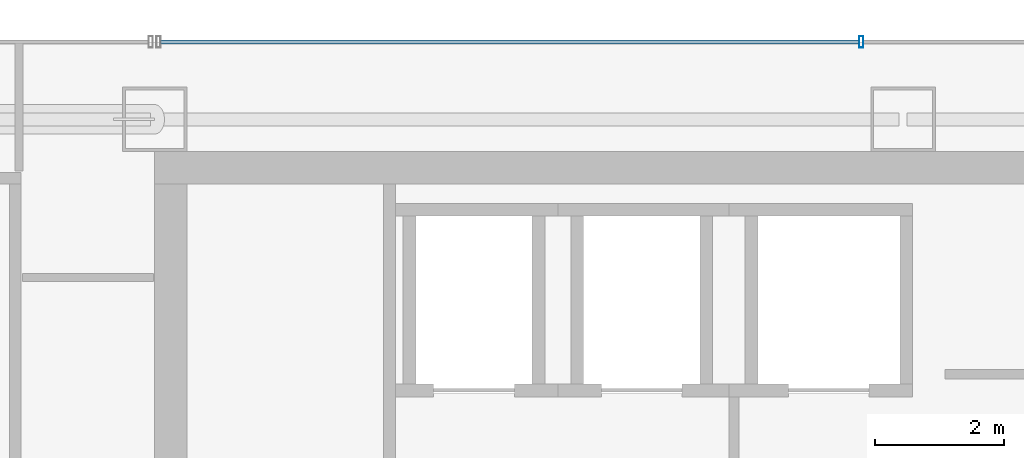
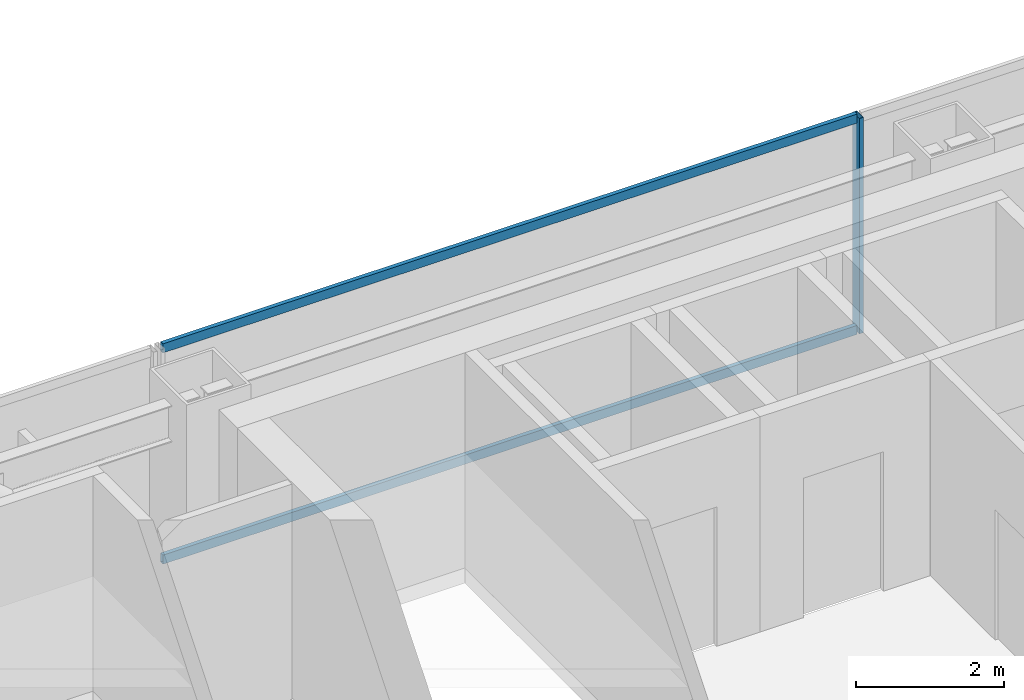
# One storey, part 23 of 36: 3 members, 1 element without a shape of its own.
"""IFC4 building model written with IfcOpenShell, lengths in metres."""

import ifcopenshell
import ifcopenshell.guid

model = None  # the IFC model being written
_history = None  # IfcOwnerHistory: only IFC2X3 demands one
_inside = {}  # id of a spatial element -> (the spatial element, [elements in it])
_under = {}  # id of a project, library or spatial element -> (it, [spatial elements below it])
_declared = {}  # id of a project -> (the project, [libraries it declares])
_typed = {}  # id of a type object -> (the type object, [elements of that type])
_made_of = {}  # id of a material, layer set ... -> (it, [elements and type objects made of it])


def new_model(schema):
    """Start an empty IFC model of exactly this schema.

    Asked for "IFC4X3", IfcOpenShell would pick the latest addendum, in which some entities
    have other attributes; the version numbers below select the first issue.
    IFC2X3 requires an IfcOwnerHistory on every rooted entity: one is made here for all.
    """
    global model, _history
    if schema == "IFC4X3":
        model = ifcopenshell.file(schema_version=(4, 3, 0, 0))
    else:
        model = ifcopenshell.file(schema=schema)
    _inside.clear()
    _under.clear()
    _declared.clear()
    _typed.clear()
    _made_of.clear()
    _history = None
    if model.schema == "IFC2X3":
        org = make("IfcOrganization", Name="unknown")
        user = make(
            "IfcPersonAndOrganization",
            ThePerson=make("IfcPerson", FamilyName="unknown"),
            TheOrganization=org,
        )
        app = make(
            "IfcApplication",
            ApplicationDeveloper=org,
            Version="unknown",
            ApplicationFullName="unknown",
            ApplicationIdentifier="unknown",
        )
        _history = make(
            "IfcOwnerHistory",
            OwningUser=user,
            OwningApplication=app,
            ChangeAction="ADDED",
            CreationDate=0,
        )
    return model


def make(cls, **values):
    """One entity of the class cls with the attributes given. An attribute that is None is left unset."""
    return model.create_entity(
        cls, **{name: value for name, value in values.items() if value is not None}
    )


def rooted(cls, **values):
    """An entity with a GlobalId (a new one), such as an element, a storey or a relation."""
    return make(cls, GlobalId=ifcopenshell.guid.new(), OwnerHistory=_history, **values)


def si_unit(unit_type, name, prefix=None):
    """IfcSIUnit, for example si_unit("LENGTHUNIT", "METRE", prefix="MILLI")."""
    return make("IfcSIUnit", UnitType=unit_type, Prefix=prefix, Name=name)


def assignment(units):
    """IfcUnitAssignment: the units of a project."""
    return None if units is None else make("IfcUnitAssignment", Units=units)


def point(xyz):
    """IfcCartesianPoint."""
    return None if xyz is None else make("IfcCartesianPoint", Coordinates=xyz)


def direction(xyz):
    """IfcDirection."""
    return None if xyz is None else make("IfcDirection", DirectionRatios=xyz)


def frame(location, z_axis=None, x_axis=None):
    """IfcAxis2Placement3D, a coordinate frame: its origin and axes. An axis left out is left unset."""
    return make(
        "IfcAxis2Placement3D",
        Location=point(location),
        Axis=direction(z_axis),
        RefDirection=direction(x_axis),
    )


def frame_2d(location, x_axis=None):
    """IfcAxis2Placement2D, a coordinate frame in the plane: its origin and x axis."""
    return make(
        "IfcAxis2Placement2D", Location=point(location), RefDirection=direction(x_axis)
    )


def origin():
    """The frame at (0, 0, 0) with its axes left unset."""
    return frame((0.0, 0.0, 0.0))


def origin_2d():
    """The frame at (0, 0) in the plane with its x axis left unset."""
    return frame_2d((0.0, 0.0))


def place(relative_to, where):
    """IfcLocalPlacement: puts the frame where relative to a parent placement (None: the world)."""
    return make(
        "IfcLocalPlacement", PlacementRelTo=relative_to, RelativePlacement=where
    )


def context(
    kind, dimensions, precision=None, world=None, true_north=None, identifier=None
):
    """IfcGeometricRepresentationContext, for example the 3D "Model" context."""
    return make(
        "IfcGeometricRepresentationContext",
        ContextIdentifier=identifier,
        ContextType=kind,
        CoordinateSpaceDimension=dimensions,
        Precision=precision,
        WorldCoordinateSystem=world,
        TrueNorth=true_north,
    )


def subcontext(parent, identifier, kind, view, scale=None):
    """IfcGeometricRepresentationSubContext, for example "Body" below "Model"."""
    return make(
        "IfcGeometricRepresentationSubContext",
        ContextIdentifier=identifier,
        ContextType=kind,
        ParentContext=parent,
        TargetScale=scale,
        TargetView=view,
    )


def project(units=None, contexts=None):
    """IfcProject with its units and contexts."""
    return rooted(
        "IfcProject",
        Name="project",
        RepresentationContexts=contexts,
        UnitsInContext=assignment(units),
    )


def spatial(cls, under=None, at=None, **own):
    """A site, building, storey or space (cls), placed at a placement, below another one or the project."""
    s = rooted(cls, ObjectPlacement=at, **own)
    if under is not None:
        _under.setdefault(under.id(), (under, []))[1].append(s)
    return s


def profile(cls, at=None, kind="AREA", **sizes):
    """A parametric profile (cls). Its sizes go by their IFC names, for example OverallWidth=200.0."""
    return make(cls, ProfileType=kind, Position=at, **sizes)


def hollow_rectangle(**sizes):
    """IfcRectangleHollowProfileDef."""
    return profile("IfcRectangleHollowProfileDef", **sizes)


def extrude(swept, where, along, depth):
    """IfcExtrudedAreaSolid: the profile swept, set in the frame where, extruded along a direction by depth."""
    return make(
        "IfcExtrudedAreaSolid",
        SweptArea=swept,
        Position=where,
        ExtrudedDirection=direction(along),
        Depth=depth,
    )


def shape(context_of_items, identifier, shape_type, items):
    """IfcShapeRepresentation: the items that make up one representation, for example the "Body"."""
    return make(
        "IfcShapeRepresentation",
        ContextOfItems=context_of_items,
        RepresentationIdentifier=identifier,
        RepresentationType=shape_type,
        Items=items,
    )


def material(Name=None, Category=None):
    """IfcMaterial."""
    return make("IfcMaterial", Name=Name, Category=Category)


def material_profile(
    of_material, cross_section, Name=None, Category=None, Priority=None
):
    """IfcMaterialProfile: a cross section and its material."""
    return make(
        "IfcMaterialProfile",
        Name=Name,
        Material=of_material,
        Profile=cross_section,
        Priority=Priority,
        Category=Category,
    )


def profile_set(profiles, Name=None, composite=None):
    """IfcMaterialProfileSet."""
    return make(
        "IfcMaterialProfileSet",
        Name=Name,
        MaterialProfiles=profiles,
        CompositeProfile=composite,
    )


def made_of(thing, what):
    """Note that an element or type object is made of a material, layer set ...; save() writes the relation."""
    if what is not None:
        _made_of.setdefault(what.id(), (what, []))[1].append(thing)
    return thing


def type_object(cls, material=None, **own):
    """A type object (cls), such as IfcWallType, which elements share."""
    return made_of(rooted(cls, **own), material)


def element(
    cls,
    number,
    at=None,
    inside=None,
    cuts=None,
    type_object=None,
    material=None,
    context=None,
    identifier="Body",
    shape_type=None,
    held_by="IfcProductDefinitionShape",
    body=None,
    shapes=None,
    **own,
):
    """One element of the class cls, such as IfcWall. Its Tag is "e" and its number.

    at: its placement. inside: the storey or other place that contains it. cuts: it is an
    opening in that element (IfcRelVoidsElement). A single representation is given by context,
    identifier, shape_type and body (its items); several are given by shapes. held_by: the class
    of the entity that holds the representations. save() writes the other relations.
    """
    e = rooted(cls, Tag="e%d" % number, ObjectPlacement=at, **own)
    if body is not None:
        shapes = [shape(context, identifier, shape_type, body)]
    if shapes is not None:
        e.Representation = make(held_by, Representations=shapes)
    if inside is not None:
        _inside.setdefault(inside.id(), (inside, []))[1].append(e)
    if cuts is not None:
        rooted(
            "IfcRelVoidsElement", RelatingBuildingElement=cuts, RelatedOpeningElement=e
        )
    if type_object is not None:
        _typed.setdefault(type_object.id(), (type_object, []))[1].append(e)
    return made_of(e, material)


def aggregate(whole, parts):
    """IfcRelAggregates: a whole, such as a stair, and the parts it consists of."""
    return rooted("IfcRelAggregates", RelatingObject=whole, RelatedObjects=parts)


def save(model, path):
    """Write the relations noted so far, then the file.

    IfcRelAggregates (storeys below a building ...), IfcRelContainedInSpatialStructure (elements
    in a storey), IfcRelDefinesByType, IfcRelAssociatesMaterial and IfcRelDeclares: one each for
    every whole, place, type object, material and project.
    """
    for whole, parts in _under.values():
        aggregate(whole, parts)
    for where, things in _inside.values():
        rooted(
            "IfcRelContainedInSpatialStructure",
            RelatedElements=things,
            RelatingStructure=where,
        )
    for kind, things in _typed.values():
        rooted("IfcRelDefinesByType", RelatedObjects=things, RelatingType=kind)
    for what, things in _made_of.values():
        rooted("IfcRelAssociatesMaterial", RelatedObjects=things, RelatingMaterial=what)
    for by, libraries in _declared.values():
        rooted("IfcRelDeclares", RelatingContext=by, RelatedDefinitions=libraries)
    model.write(path)


model = new_model("IFC4")

# Units and contexts
model_context = context("Model", 3, precision=1e-05, world=origin(), true_north=direction((0.0, 1.0)))
body_context = subcontext(model_context, "Body", "Model", "MODEL_VIEW")
ifc_project = project(units=[si_unit("LENGTHUNIT", "METRE"), si_unit("AREAUNIT", "SQUARE_METRE"), si_unit("VOLUMEUNIT", "CUBIC_METRE"), si_unit("PLANEANGLEUNIT", "RADIAN"), si_unit("MASSUNIT", "GRAM", prefix="KILO")], contexts=[model_context])

# Site, building, storey
site_placement = place(None, origin())
site = spatial("IfcSite", under=ifc_project, at=site_placement, CompositionType="ELEMENT")
building_placement = place(site_placement, origin())
building = spatial("IfcBuilding", under=site, at=building_placement, Name="Saevonmaru Cultural Tower", CompositionType="ELEMENT")
storey_placement = place(building_placement, frame((0.0, 0.0, 156.199951171875)))
storey = spatial("IfcBuildingStorey", under=building, at=storey_placement, Name="L34", CompositionType="ELEMENT", Elevation=156.199951171875)

# Curtain wall, members
ifc_material = material(Name="Satin Bronze Anodised Aluminium", Category="aluminium")
curtain_wall_type = type_object("IfcCurtainWallType", Name="CW-TYP-A", PredefinedType="NOTDEFINED", material=ifc_material)
curtain_wall_placement = place(storey_placement, origin())
curtain_wall = element("IfcCurtainWall", 1, at=curtain_wall_placement, inside=storey, type_object=curtain_wall_type, Name="L34 North Spine Unitised Curtain Wall E10B", PredefinedType="NOTDEFINED")
ifc_material_profile_1 = material_profile(ifc_material, hollow_rectangle(XDim=0.06494140625, YDim=0.179931640625, WallThickness=0.00390625, at=origin_2d()), Name="ALU-MULL-180x65x4")
ifc_profile_set_1 = profile_set([ifc_material_profile_1], Name="Satin Bronze Anodised Aluminium")
member_type_1 = type_object("IfcMemberType", Name="ML-CW-180x65", PredefinedType="MULLION", material=ifc_profile_set_1)
member_1_placement = place(storey_placement, frame((24.55322265625, 56.0, 0.0), z_axis=(0.0, 0.0, 1.0), x_axis=(-1.0, 0.0, 0.0)))
member_1 = element("IfcMember", 2, at=member_1_placement, type_object=member_type_1, Name="CW-TW-L34-E10B mullion 3", PredefinedType="MULLION", context=body_context, shape_type="SweptSolid", body=[
    extrude(hollow_rectangle(XDim=0.06494140625, YDim=0.179931640625, WallThickness=0.00390625, at=origin_2d()), origin(), (0.0, 0.0, 1.0), 3.550048828125),
])
ifc_material_profile_2 = material_profile(ifc_material, hollow_rectangle(XDim=0.06494140625, YDim=0.14990234375, WallThickness=0.00390625, at=origin_2d()), Name="ALU-TRAN-150x65x4")
ifc_profile_set_2 = profile_set([ifc_material_profile_2], Name="Satin Bronze Anodised Aluminium")
member_type_2 = type_object("IfcMemberType", Name="TR-CW-150x65", PredefinedType="USERDEFINED", material=ifc_profile_set_2)
member_2_placement = place(storey_placement, frame((24.520751953125, 56.0, 0.032470703125), z_axis=(-1.0, 0.0, 0.0), x_axis=(0.0, -1.0, 0.0)))
member_2 = element("IfcMember", 3, at=member_2_placement, type_object=member_type_2, Name="CW-TW-L34-E10B transom 3.1", ObjectType="TRANSOM", PredefinedType="USERDEFINED", context=body_context, shape_type="SweptSolid", body=[
    extrude(hollow_rectangle(XDim=0.06494140625, YDim=0.14990234375, WallThickness=0.00390625, at=origin_2d()), origin(), (0.0, 0.0, 1.0), 10.828369140625),
])
member_3_placement = place(storey_placement, frame((24.520751953125, 56.0, 3.517578125), z_axis=(-1.0, 0.0, 0.0), x_axis=(0.0, -1.0, 0.0)))
member_3 = element("IfcMember", 4, at=member_3_placement, type_object=member_type_2, Name="CW-TW-L34-E10B transom 3.2", ObjectType="TRANSOM", PredefinedType="USERDEFINED", context=body_context, shape_type="SweptSolid", body=[
    extrude(hollow_rectangle(XDim=0.06494140625, YDim=0.14990234375, WallThickness=0.00390625, at=origin_2d()), origin(), (0.0, 0.0, 1.0), 10.828369140625),
])
aggregate(curtain_wall, [member_1, member_2, member_3])

save(model, "model.ifc")
